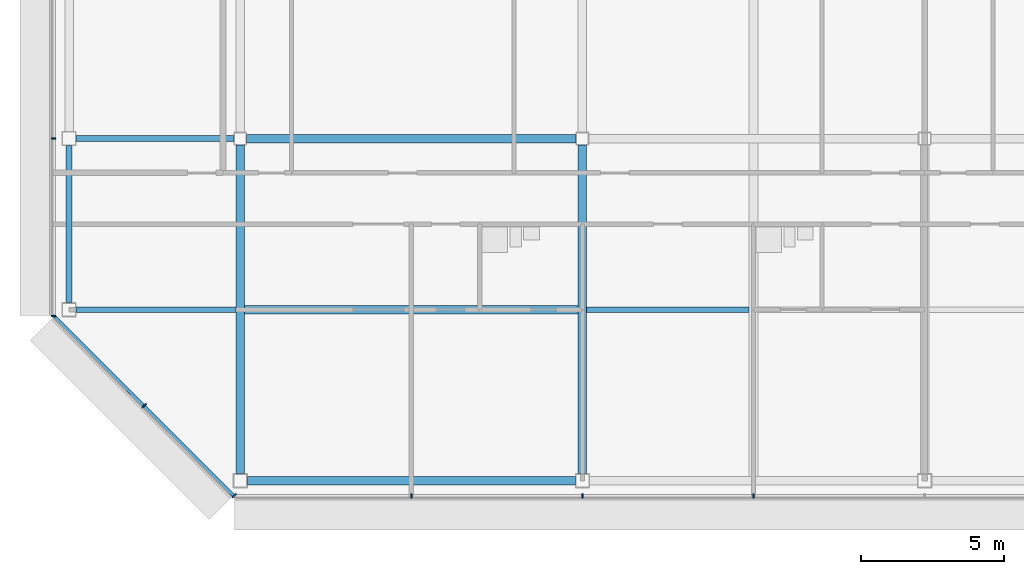
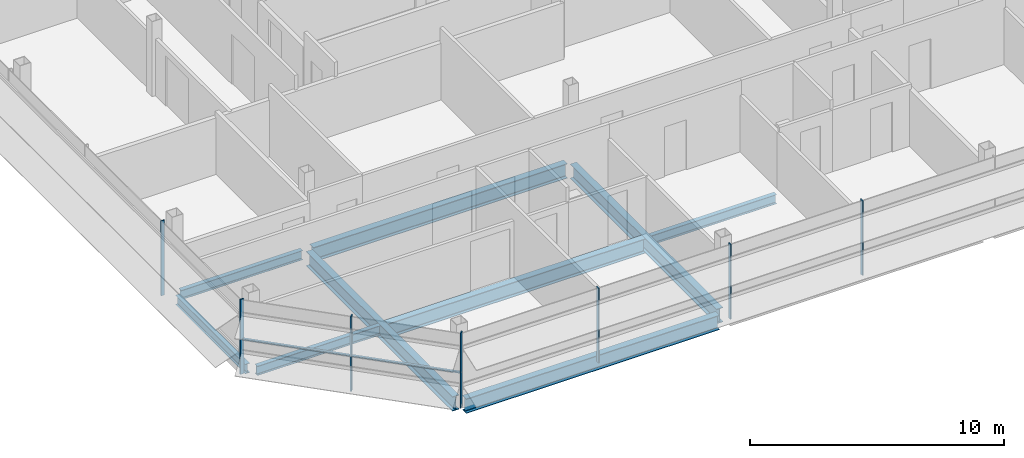
# One storey, part 4 of 28: 9 beams, 8 members, 3 elements without a shape of their own.
"""IFC4 building model written with IfcOpenShell, lengths in metres."""

from ifc_helpers import new_model, si_unit, direction, frame, origin, origin_2d, place, context, subcontext, project, spatial, rectangle, i_section, extrude, material, material_profile, profile_set, type_object, element, aggregate, save


model = new_model("IFC4")

# Units and contexts
model_context = context("Model", 3, precision=1e-05, world=origin(), true_north=direction((0.0, 1.0)))
body_context = subcontext(model_context, "Body", "Model", "MODEL_VIEW")
ifc_project = project(units=[si_unit("LENGTHUNIT", "METRE"), si_unit("AREAUNIT", "SQUARE_METRE"), si_unit("VOLUMEUNIT", "CUBIC_METRE"), si_unit("PLANEANGLEUNIT", "RADIAN"), si_unit("MASSUNIT", "GRAM", prefix="KILO")], contexts=[model_context])

# Site, building, storey
site_placement = place(None, origin())
site = spatial("IfcSite", under=ifc_project, at=site_placement, CompositionType="ELEMENT")
building_placement = place(site_placement, origin())
building = spatial("IfcBuilding", under=site, at=building_placement, Name="Sorahane Residences", CompositionType="ELEMENT")
storey_placement = place(building_placement, frame((0.0, 0.0, 305.199951171875)))
storey = spatial("IfcBuildingStorey", under=building, at=storey_placement, Name="L72", CompositionType="ELEMENT", Elevation=305.199951171875)

# Curtain wall, members
ifc_material_1 = material(Name="Dark low-e glass and black anodised aluminium", Category="aluminium")
curtain_wall_type_1 = type_object("IfcCurtainWallType", Name="Curtain wall CW-1 Typical unitised wall", PredefinedType="NOTDEFINED", material=ifc_material_1)
curtain_wall_1_placement = place(storey_placement, origin())
curtain_wall_1 = element("IfcCurtainWall", 1, at=curtain_wall_1_placement, inside=storey, type_object=curtain_wall_type_1, Name="CW-1 curtain wall L72 S1", PredefinedType="NOTDEFINED")
ifc_material_2 = material(Name="Black anodised aluminium", Category="aluminium")
ifc_material_profile_1 = material_profile(ifc_material_2, rectangle(XDim=0.159912109375, YDim=0.050048828125, at=origin_2d()), Name="Curtain wall mullion CW-1 black anodised aluminium 50x160")
ifc_profile_set_1 = profile_set([ifc_material_profile_1], Name="Black anodised aluminium")
member_type_1 = type_object("IfcMemberType", Name="Curtain wall mullion CW-1 black anodised aluminium 50x160", PredefinedType="MULLION", material=ifc_profile_set_1)
member_1_placement = place(storey_placement, frame((-6.0, -0.5400390625, -0.179931640625), z_axis=(0.0, 0.0, 1.0), x_axis=(0.0, -1.0, 0.0)))
member_1 = element("IfcMember", 2, at=member_1_placement, type_object=member_type_1, Name="CW-1 mullion L72 S1.2", PredefinedType="MULLION", context=body_context, shape_type="SweptSolid", body=[
    extrude(rectangle(XDim=0.159912109375, YDim=0.050048828125, at=origin_2d()), origin(), (0.0, 0.0, 1.0), 3.60009765625),
])
member_2_placement = place(storey_placement, frame((0.0, -0.5400390625, -0.179931640625), z_axis=(0.0, 0.0, 1.0), x_axis=(0.0, -1.0, 0.0)))
member_2 = element("IfcMember", 3, at=member_2_placement, type_object=member_type_1, Name="CW-1 mullion L72 S1.3", PredefinedType="MULLION", context=body_context, shape_type="SweptSolid", body=[
    extrude(rectangle(XDim=0.159912109375, YDim=0.050048828125, at=origin_2d()), origin(), (0.0, 0.0, 1.0), 3.60009765625),
])
member_3_placement = place(storey_placement, frame((6.0, -0.5400390625, -0.179931640625), z_axis=(0.0, 0.0, 1.0), x_axis=(0.0, -1.0, 0.0)))
member_3 = element("IfcMember", 4, at=member_3_placement, type_object=member_type_1, Name="CW-1 mullion L72 S1.4", PredefinedType="MULLION", context=body_context, shape_type="SweptSolid", body=[
    extrude(rectangle(XDim=0.159912109375, YDim=0.050048828125, at=origin_2d()), origin(), (0.0, 0.0, 1.0), 3.60009765625),
])
aggregate(curtain_wall_1, [member_1, member_2, member_3])

curtain_wall_2_placement = place(storey_placement, origin())
curtain_wall_2 = element("IfcCurtainWall", 5, at=curtain_wall_2_placement, inside=storey, type_object=curtain_wall_type_1, Name="CW-1 curtain wall L72 W1", PredefinedType="NOTDEFINED")
member_4_placement = place(storey_placement, frame((-18.5400390625, 12.0, -0.179931640625), z_axis=(0.0, 0.0, 1.0), x_axis=(-1.0, 0.0, 0.0)))
member_4 = element("IfcMember", 6, at=member_4_placement, type_object=member_type_1, Name="CW-1 mullion L72 W1.6", PredefinedType="MULLION", context=body_context, shape_type="SweptSolid", body=[
    extrude(rectangle(XDim=0.159912109375, YDim=0.050048828125, at=origin_2d()), origin(), (0.0, 0.0, 1.0), 3.60009765625),
])
member_5_placement = place(storey_placement, frame((-18.5400390625, 5.7763671875, -0.179931640625), z_axis=(0.0, 0.0, 1.0), x_axis=(-1.0, 0.0, 0.0)))
member_5 = element("IfcMember", 7, at=member_5_placement, type_object=member_type_1, Name="CW-1 mullion L72 W1.7", PredefinedType="MULLION", context=body_context, shape_type="SweptSolid", body=[
    extrude(rectangle(XDim=0.159912109375, YDim=0.050048828125, at=origin_2d()), origin(), (0.0, 0.0, 1.0), 3.60009765625),
])
aggregate(curtain_wall_2, [member_4, member_5])

ifc_material_3 = material(Name="Dark low-e glass and black anodised aluminium", Category="aluminium")
curtain_wall_type_2 = type_object("IfcCurtainWallType", Name="Curtain wall CW-2 Chamfer unitised wall", PredefinedType="NOTDEFINED", material=ifc_material_3)
curtain_wall_3_placement = place(storey_placement, origin())
curtain_wall_3 = element("IfcCurtainWall", 8, at=curtain_wall_3_placement, inside=storey, type_object=curtain_wall_type_2, Name="CW-2 curtain wall L72 SW1", PredefinedType="NOTDEFINED")
ifc_material_4 = material(Name="Black anodised aluminium", Category="aluminium")
ifc_material_profile_2 = material_profile(ifc_material_4, rectangle(XDim=0.199951171875, YDim=0.050048828125, at=origin_2d()), Name="Curtain wall mullion CW-2 black anodised aluminium 50x200")
ifc_profile_set_2 = profile_set([ifc_material_profile_2], Name="Black anodised aluminium")
member_type_2 = type_object("IfcMemberType", Name="Curtain wall mullion CW-2 black anodised aluminium 50x200", PredefinedType="MULLION", material=ifc_profile_set_2)
member_6_placement = place(storey_placement, frame((-15.36767578125, 2.63232421875, -0.179931640625), z_axis=(0.0, 0.0, 1.0), x_axis=(-0.707106781187, -0.707106781187, 0.0)))
member_6 = element("IfcMember", 9, at=member_6_placement, type_object=member_type_2, Name="CW-2 mullion L72 SW1.2", PredefinedType="MULLION", context=body_context, shape_type="SweptSolid", body=[
    extrude(rectangle(XDim=0.199951171875, YDim=0.050048828125, at=origin_2d()), origin(), (0.0, 0.0, 1.0), 3.60009765625),
])
member_7_placement = place(storey_placement, frame((-12.209716796875, -0.525634765625, -0.179931640625), z_axis=(0.0, 0.0, 1.0), x_axis=(-0.707106781187, -0.707106781187, 0.0)))
member_7 = element("IfcMember", 10, at=member_7_placement, type_object=member_type_2, Name="CW-2 mullion L72 SW1.3", PredefinedType="MULLION", context=body_context, shape_type="SweptSolid", body=[
    extrude(rectangle(XDim=0.199951171875, YDim=0.050048828125, at=origin_2d()), origin(), (0.0, 0.0, 1.0), 3.60009765625),
])
ifc_material_5 = material(Name="Black anodised aluminium", Category="aluminium")
ifc_material_profile_3 = material_profile(ifc_material_5, rectangle(XDim=0.10009765625, YDim=0.06005859375, at=origin_2d()), Name="Curtain wall transom CW-2 black anodised aluminium 60x100")
ifc_profile_set_3 = profile_set([ifc_material_profile_3], Name="Black anodised aluminium")
member_type_3 = type_object("IfcMemberType", Name="Curtain wall transom CW-2 black anodised aluminium 60x100", PredefinedType="USERDEFINED", material=ifc_profile_set_3)
member_8_placement = place(storey_placement, frame((-18.51513671875, 5.765625, 1.5), z_axis=(0.707106781187, -0.707106781187, 0.0), x_axis=(0.707106781187, 0.707106781187, 0.0)))
member_8 = element("IfcMember", 11, at=member_8_placement, type_object=member_type_3, Name="CW-2 transom L72 SW1", ObjectType="TRANSOM", PredefinedType="USERDEFINED", context=body_context, shape_type="SweptSolid", body=[
    extrude(rectangle(XDim=0.10009765625, YDim=0.06005859375, at=origin_2d()), origin(), (0.0, 0.0, 1.0), 8.88232421875),
])
aggregate(curtain_wall_3, [member_6, member_7, member_8])

# Beams
ifc_material_6 = material(Name="Steel Q355B", Category="steel")
ifc_material_profile_4 = material_profile(ifc_material_6, i_section(OverallWidth=0.199951171875, OverallDepth=0.449951171875, WebThickness=0.009033203125, FlangeThickness=0.013916015625, FilletRadius=0.02001953125, at=origin_2d()), Name="HN 450x200x9x14")
ifc_profile_set_4 = profile_set([ifc_material_profile_4], Name="Steel Q355B")
beam_type_1 = type_object("IfcBeamType", Name="Steel floor beam HN 450x200x9x14 Q355B", PredefinedType="BEAM", material=ifc_profile_set_4)
beam_1_placement = place(storey_placement, frame((-17.75, 12.0, -0.405029296875), z_axis=(1.0, 0.0, 0.0), x_axis=(0.0, 1.0, 0.0)))
element("IfcBeam", 12, at=beam_1_placement, inside=storey, type_object=beam_type_1, Name="Beam L72 005", PredefinedType="BEAM", context=body_context, shape_type="SweptSolid", body=[
    extrude(i_section(OverallWidth=0.199951171875, OverallDepth=0.449951171875, WebThickness=0.009033203125, FlangeThickness=0.013916015625, FilletRadius=0.02001953125, at=origin_2d()), origin(), (0.0, 0.0, 1.0), 5.52490234375),
])
beam_2_placement = place(storey_placement, frame((-18.0, 6.25, -0.405029296875), z_axis=(0.0, 1.0, 0.0), x_axis=(-1.0, 0.0, 0.0)))
element("IfcBeam", 13, at=beam_2_placement, inside=storey, type_object=beam_type_1, Name="Beam L72 020", PredefinedType="BEAM", context=body_context, shape_type="SweptSolid", body=[
    extrude(i_section(OverallWidth=0.199951171875, OverallDepth=0.449951171875, WebThickness=0.009033203125, FlangeThickness=0.013916015625, FilletRadius=0.02001953125, at=origin_2d()), origin(), (0.0, 0.0, 1.0), 5.5),
])
beam_3_placement = place(storey_placement, frame((-17.75, 6.0, -0.405029296875), z_axis=(1.0, 0.0, 0.0), x_axis=(0.0, 1.0, 0.0)))
element("IfcBeam", 14, at=beam_3_placement, inside=storey, type_object=beam_type_1, Name="Beam L72 066", PredefinedType="BEAM", context=body_context, shape_type="SweptSolid", body=[
    extrude(i_section(OverallWidth=0.199951171875, OverallDepth=0.449951171875, WebThickness=0.009033203125, FlangeThickness=0.013916015625, FilletRadius=0.02001953125, at=origin_2d()), origin(), (0.0, 0.0, 1.0), 5.60009765625),
])
beam_4_placement = place(storey_placement, frame((0.14990234375, 6.0, -0.405029296875), z_axis=(1.0, 0.0, 0.0), x_axis=(0.0, 1.0, 0.0)))
element("IfcBeam", 15, at=beam_4_placement, inside=storey, type_object=beam_type_1, Name="Beam L72 068", PredefinedType="BEAM", context=body_context, shape_type="SweptSolid", body=[
    extrude(i_section(OverallWidth=0.199951171875, OverallDepth=0.449951171875, WebThickness=0.009033203125, FlangeThickness=0.013916015625, FilletRadius=0.02001953125, at=origin_2d()), origin(), (0.0, 0.0, 1.0), 5.7001953125),
])
ifc_material_7 = material(Name="Steel Q355B", Category="steel")
ifc_material_profile_5 = material_profile(ifc_material_7, i_section(OverallWidth=0.300048828125, OverallDepth=0.699951171875, WebThickness=0.012939453125, FlangeThickness=0.02392578125, FilletRadius=0.028076171875, at=origin_2d()), Name="HN 700x300x13x24")
ifc_profile_set_5 = profile_set([ifc_material_profile_5], Name="Steel Q355B")
beam_type_2 = type_object("IfcBeamType", Name="Steel floor beam HN 700x300x13x24 Q355B", PredefinedType="BEAM", material=ifc_profile_set_5)
beam_5_placement = place(storey_placement, frame((-11.75, 0.0, -0.530029296875), z_axis=(1.0, 0.0, 0.0), x_axis=(0.0, 1.0, 0.0)))
element("IfcBeam", 16, at=beam_5_placement, inside=storey, type_object=beam_type_2, Name="Beam L72 000", PredefinedType="BEAM", context=body_context, shape_type="SweptSolid", body=[
    extrude(i_section(OverallWidth=0.300048828125, OverallDepth=0.699951171875, WebThickness=0.012939453125, FlangeThickness=0.02392578125, FilletRadius=0.028076171875, at=origin_2d()), origin(), (0.0, 0.0, 1.0), 11.5),
])
beam_6_placement = place(storey_placement, frame((-11.77490234375, 12.0, -0.530029296875), z_axis=(1.0, 0.0, 0.0), x_axis=(0.0, 1.0, 0.0)))
element("IfcBeam", 17, at=beam_6_placement, inside=storey, type_object=beam_type_2, Name="Beam L72 006", PredefinedType="BEAM", context=body_context, shape_type="SweptSolid", body=[
    extrude(i_section(OverallWidth=0.300048828125, OverallDepth=0.699951171875, WebThickness=0.012939453125, FlangeThickness=0.02392578125, FilletRadius=0.028076171875, at=origin_2d()), origin(), (0.0, 0.0, 1.0), 11.5498046875),
])
for number, where, z_axis, x_axis, name in (
    (18, (-12.0, 0.25, -0.530029296875), (0.0, 1.0, 0.0), (-1.0, 0.0, 0.0), "Beam L72 024"),
    (19, (0.0, 0.25, -0.530029296875), (0.0, 1.0, 0.0), (-1.0, 0.0, 0.0), "Beam L72 028"),
):
    element("IfcBeam", number, at=place(storey_placement, frame(where, z_axis=z_axis, x_axis=x_axis)), inside=storey, type_object=beam_type_2, Name=name, PredefinedType="BEAM", context=body_context, shape_type="SweptSolid", body=[
        extrude(i_section(OverallWidth=0.300048828125, OverallDepth=0.699951171875, WebThickness=0.012939453125, FlangeThickness=0.02392578125, FilletRadius=0.028076171875, at=origin_2d()), origin(), (0.0, 0.0, 1.0), 11.52490234375),
    ])
beam_7_placement = place(storey_placement, frame((-11.85009765625, 6.0, -0.530029296875), z_axis=(1.0, 0.0, 0.0), x_axis=(0.0, 1.0, 0.0)))
element("IfcBeam", 20, at=beam_7_placement, inside=storey, type_object=beam_type_2, Name="Beam L72 067", PredefinedType="BEAM", context=body_context, shape_type="SweptSolid", body=[
    extrude(i_section(OverallWidth=0.300048828125, OverallDepth=0.699951171875, WebThickness=0.012939453125, FlangeThickness=0.02392578125, FilletRadius=0.028076171875, at=origin_2d()), origin(), (0.0, 0.0, 1.0), 11.7001953125),
])

save(model, "model.ifc")
